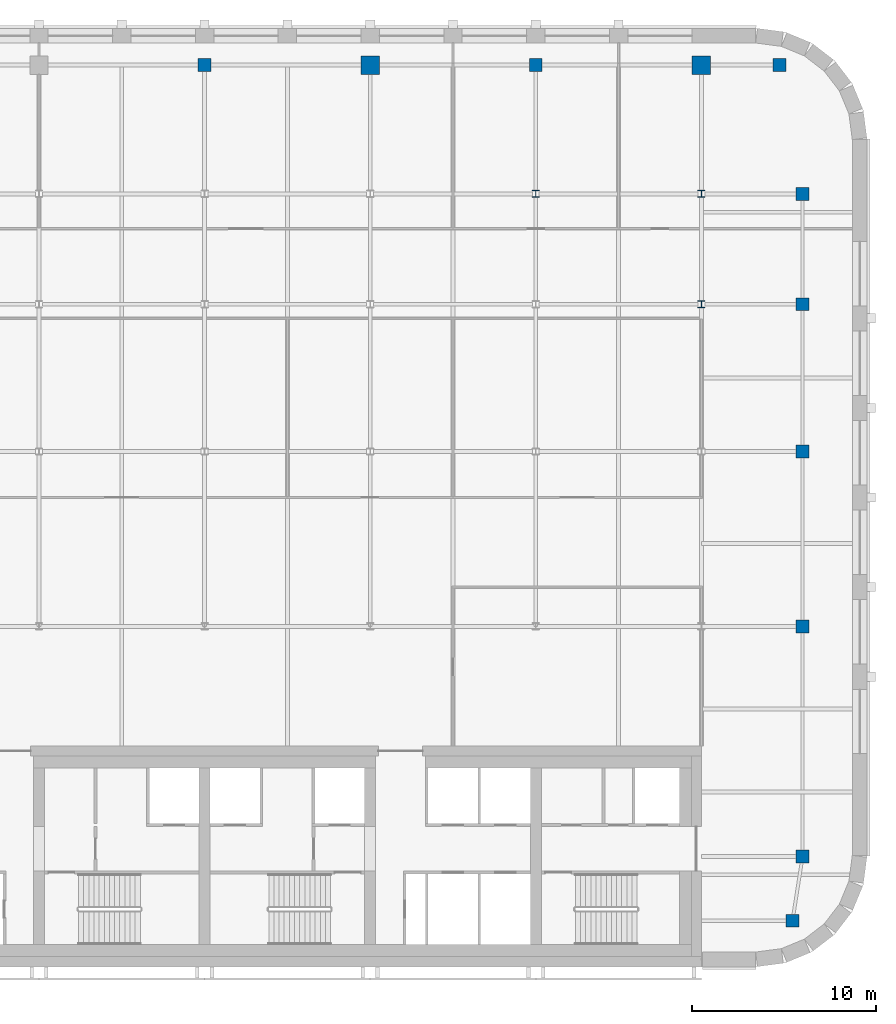
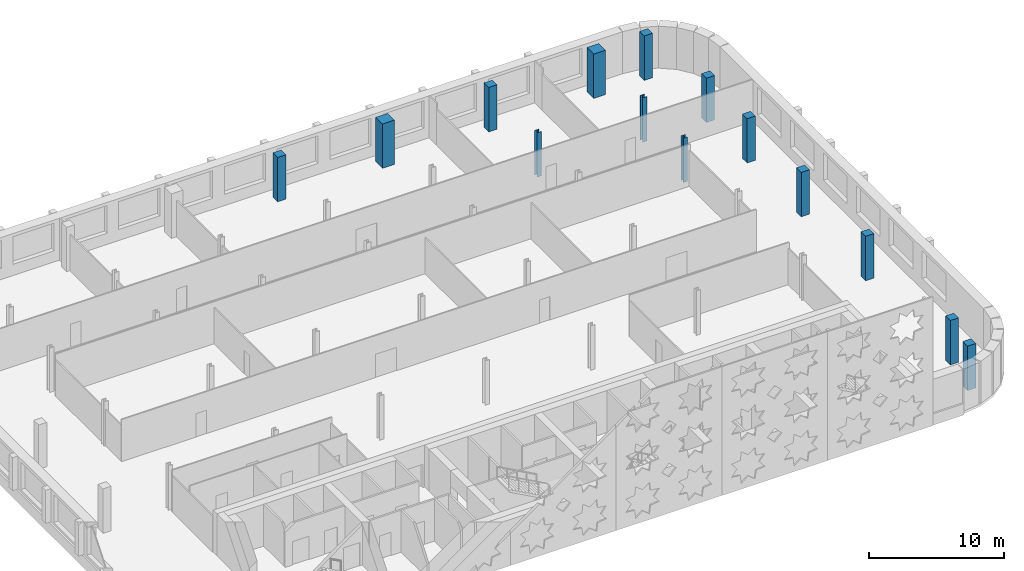
# One storey, part 4 of 15: 14 columns.
"""IFC4 building model written with IfcOpenShell, lengths in metres."""

from ifc_helpers import new_model, si_unit, direction, frame, origin, origin_2d, place, context, subcontext, project, spatial, rectangle, i_section, extrude, material, material_profile, profile_set, type_object, element, save


model = new_model("IFC4")

# Units and contexts
model_context = context("Model", 3, precision=1e-05, world=origin(), true_north=direction((0.0, 1.0)))
body_context = subcontext(model_context, "Body", "Model", "MODEL_VIEW")
ifc_project = project(units=[si_unit("LENGTHUNIT", "METRE"), si_unit("AREAUNIT", "SQUARE_METRE"), si_unit("VOLUMEUNIT", "CUBIC_METRE"), si_unit("PLANEANGLEUNIT", "RADIAN"), si_unit("MASSUNIT", "GRAM", prefix="KILO")], contexts=[model_context])

# Site, building, storey
site_placement = place(None, origin())
site = spatial("IfcSite", under=ifc_project, at=site_placement, CompositionType="ELEMENT")
building_placement = place(site_placement, origin())
building = spatial("IfcBuilding", under=site, at=building_placement, Name="Zellij Exchange Tower", CompositionType="ELEMENT")
storey_placement = place(building_placement, frame((0.0, 0.0, 276.5)))
storey = spatial("IfcBuildingStorey", under=building, at=storey_placement, Name="L65", CompositionType="ELEMENT", Elevation=276.5)

# Columns
ifc_material_1 = material(Name="Concrete C50/60", Category="concrete")
ifc_material_profile_1 = material_profile(ifc_material_1, rectangle(XDim=0.699951171875, YDim=0.699951171875, at=origin_2d()), Name="STR-COLUMN RC700x700 C50/60")
ifc_profile_set_1 = profile_set([ifc_material_profile_1], Name="Concrete C50/60")
column_type_1 = type_object("IfcColumnType", Name="STR-COLUMN RC700x700 C50/60", PredefinedType="COLUMN", material=ifc_profile_set_1)
for number, where, z_axis, x_axis, name in (
    (1, (31.949951171875, -11.5, 0.0), (0.0, 0.0, 1.0), (1.0, 0.0, 0.0), "C14"),
    (2, (32.5, -8.0, 0.0), (0.0, 0.0, 1.0), (1.0, 0.0, 0.0), "C14"),
    (3, (32.5, 4.5, 0.0), (0.0, 0.0, 1.0), (1.0, 0.0, 0.0), "C14"),
    (4, (32.5, 14.0, 0.0), (0.0, 0.0, 1.0), (1.0, 0.0, 0.0), "C14"),
    (5, (32.5, 22.0, 0.0), (0.0, 0.0, 1.0), (1.0, 0.0, 0.0), "C14"),
    (6, (32.5, 28.0, 0.0), (0.0, 0.0, 1.0), (1.0, 0.0, 0.0), "C14"),
    (7, (0.0, 35.0, 0.0), (0.0, 0.0, 1.0), (1.0, 0.0, 0.0), "C14"),
    (8, (18.0, 35.0, 0.0), (0.0, 0.0, 1.0), (1.0, 0.0, 0.0), "C14"),
    (9, (31.25, 35.0, 0.0), (0.0, 0.0, 1.0), (1.0, 0.0, 0.0), "C14"),
):
    element("IfcColumn", number, at=place(storey_placement, frame(where, z_axis=z_axis, x_axis=x_axis)), inside=storey, type_object=column_type_1, Name=name, PredefinedType="COLUMN", context=body_context, shape_type="SweptSolid", body=[
        extrude(rectangle(XDim=0.699951171875, YDim=0.699951171875, at=origin_2d()), origin(), (0.0, 0.0, 1.0), 4.0),
    ])
ifc_material_2 = material(Name="Structural steel ASTM A992 Gr 50", Category="steel")
ifc_material_profile_2 = material_profile(ifc_material_2, i_section(OverallWidth=0.373291015625, OverallDepth=0.373291015625, WebThickness=0.016357421875, FlangeThickness=0.026123046875, at=origin_2d()), Name="W14x132")
ifc_profile_set_2 = profile_set([ifc_material_profile_2], Name="Structural steel ASTM A992 Gr 50")
column_type_2 = type_object("IfcColumnType", Name="STR-COLUMN W14x132", PredefinedType="COLUMN", material=ifc_profile_set_2)
for number, where, z_axis, x_axis, name in (
    (10, (27.0, 22.0, 0.0), (0.0, 0.0, 1.0), (1.0, 0.0, 0.0), "C1"),
    (11, (18.0, 28.0, 0.0), (0.0, 0.0, 1.0), (1.0, 0.0, 0.0), "C1"),
    (12, (27.0, 28.0, 0.0), (0.0, 0.0, 1.0), (1.0, 0.0, 0.0), "C1"),
):
    element("IfcColumn", number, at=place(storey_placement, frame(where, z_axis=z_axis, x_axis=x_axis)), inside=storey, type_object=column_type_2, Name=name, PredefinedType="COLUMN", context=body_context, shape_type="SweptSolid", body=[
        extrude(i_section(OverallWidth=0.373291015625, OverallDepth=0.373291015625, WebThickness=0.016357421875, FlangeThickness=0.026123046875, at=origin_2d()), origin(), (0.0, 0.0, 1.0), 4.0),
    ])
ifc_material_profile_3 = material_profile(ifc_material_1, rectangle(XDim=1.0, YDim=1.0, at=origin_2d()), Name="STR-MEGA COLUMN RC1000x1000 C50/60")
ifc_profile_set_3 = profile_set([ifc_material_profile_3], Name="Concrete C50/60")
column_type_3 = type_object("IfcColumnType", Name="STR-MEGA COLUMN RC1000x1000 C50/60", PredefinedType="COLUMN", material=ifc_profile_set_3)
for number, where, z_axis, x_axis, name in (
    (13, (9.0, 35.0, 0.0), (0.0, 0.0, 1.0), (1.0, 0.0, 0.0), "MC1"),
    (14, (27.0, 35.0, 0.0), (0.0, 0.0, 1.0), (1.0, 0.0, 0.0), "MC1"),
):
    element("IfcColumn", number, at=place(storey_placement, frame(where, z_axis=z_axis, x_axis=x_axis)), inside=storey, type_object=column_type_3, Name=name, PredefinedType="COLUMN", context=body_context, shape_type="SweptSolid", body=[
        extrude(rectangle(XDim=1.0, YDim=1.0, at=origin_2d()), origin(), (0.0, 0.0, 1.0), 4.0),
    ])

save(model, "model.ifc")
